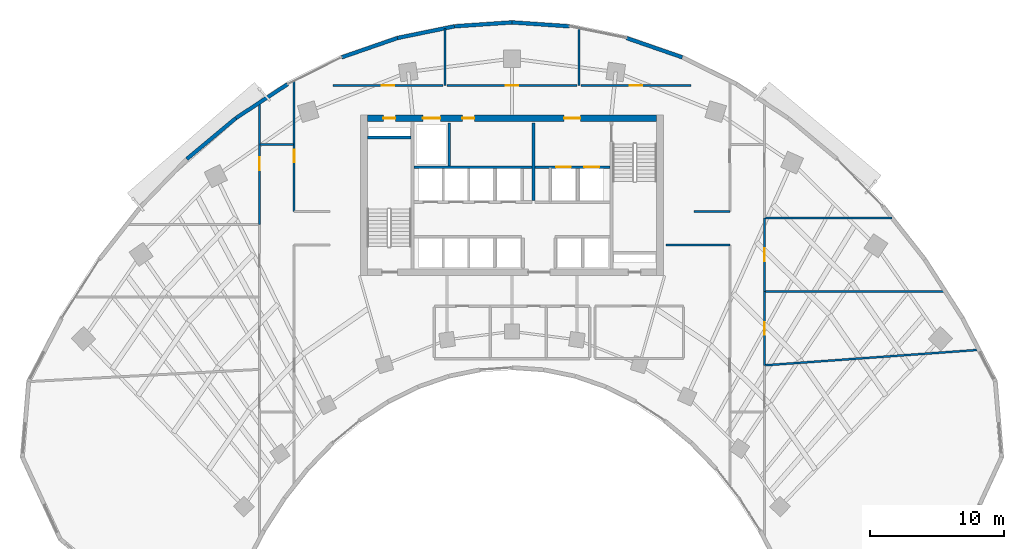
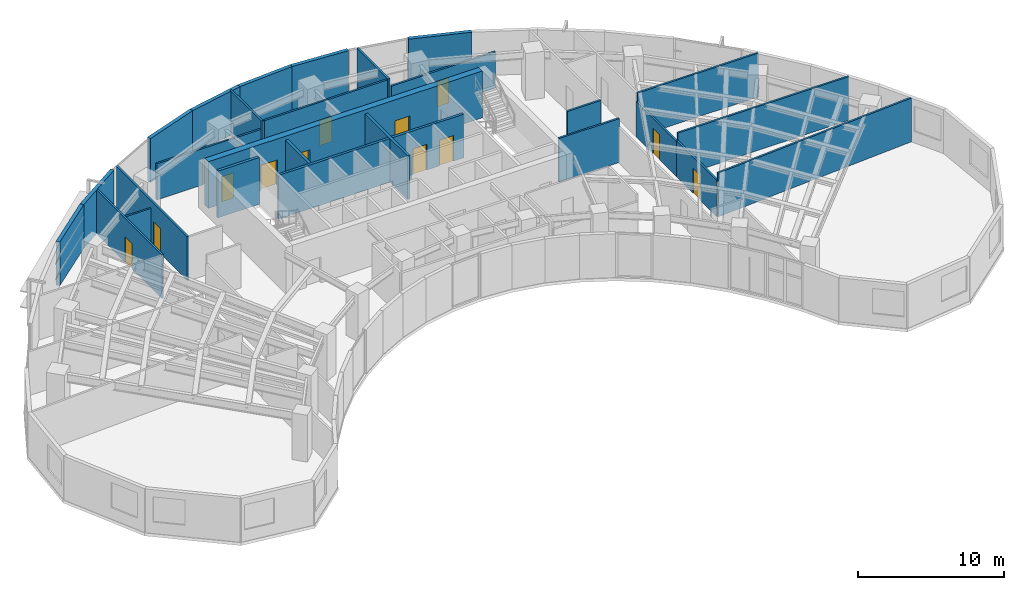
# One storey, part 10 of 13: 28 walls, 13 doors, 13 openings.
"""IFC4 building model written with IfcOpenShell, lengths in metres."""

from ifc_helpers import new_model, si_unit, direction, frame, frame_2d, origin, place, context, subcontext, project, spatial, rectangle, extrude, source, transform, mapped, material, layer, layer_set, type_object, type_shapes, element, fill, save


model = new_model("IFC4")

# Units and contexts
model_context = context("Model", 3, precision=1e-05, world=origin(), true_north=direction((0.0, 1.0)))
body_context = subcontext(model_context, "Body", "Model", "MODEL_VIEW")
ifc_project = project(units=[si_unit("LENGTHUNIT", "METRE"), si_unit("AREAUNIT", "SQUARE_METRE"), si_unit("VOLUMEUNIT", "CUBIC_METRE"), si_unit("PLANEANGLEUNIT", "RADIAN"), si_unit("MASSUNIT", "GRAM", prefix="KILO")], contexts=[model_context])

# Site, building, storey
site_placement = place(None, origin())
site = spatial("IfcSite", under=ifc_project, at=site_placement, CompositionType="ELEMENT")
building_placement = place(site_placement, origin())
building = spatial("IfcBuilding", under=site, at=building_placement, Name="Breltana Convention Tower", CompositionType="ELEMENT")
storey_placement = place(building_placement, frame((0.0, 0.0, 96.0)))
storey = spatial("IfcBuildingStorey", under=building, at=storey_placement, Name="L22", CompositionType="ELEMENT", Elevation=96.0)

# Wall, openings, doors
ifc_material_1 = material(Name="Concrete C60/75", Category="concrete")
ifc_layer_1 = layer(ifc_material_1, 0.5, Name="Concrete C60/75")
ifc_layer_set_1 = layer_set([ifc_layer_1], Name="Concrete C60/75")
wall_type_1 = type_object("IfcWallType", Name="SW-CORE-500", PredefinedType="SHEAR", material=ifc_layer_set_1)
shared_shape_1 = source(origin(), body_context, "Body", "SweptSolid", [
    extrude(rectangle(XDim=21.60009765625, YDim=0.5, at=frame_2d((10.800048828125, 0.0))), origin(), (0.0, 0.0, 1.0), 3.89990234375),
])
wall_1_placement = place(storey_placement, frame((37.199951171875, 71.949951171875, 0.0), z_axis=(0.0, 0.0, 1.0), x_axis=(1.0, 0.0, 0.0)))
wall_1 = element("IfcWall", 1, at=wall_1_placement, inside=storey, type_object=wall_type_1, Name="L22 North Core Shear Wall", PredefinedType="SHEAR", context=body_context, shape_type="MappedRepresentation", body=[
    mapped(shared_shape_1, transform((0.0, 0.0, 0.0), scale=1.0)),
])
opening_1_placement = place(wall_1_placement, frame((1.199951171875, 0.0, 0.0)))
opening_1 = element("IfcOpeningElement", 2, at=opening_1_placement, cuts=wall_1, Name="Opening D-18", PredefinedType="OPENING", context=body_context, shape_type="SweptSolid", body=[
    extrude(rectangle(XDim=0.89990234375, YDim=2.10009765625, at=frame_2d((0.449951171875, 1.050048828125))), frame((0.0, 0.260009765625, 0.0), z_axis=(0.0, -1.0, 0.0), x_axis=(1.0, 0.0, 0.0)), (0.0, 0.0, 1.0), 0.52001953125),
])
opening_2_placement = place(wall_1_placement, frame((14.699951171875, 0.0, 0.0)))
opening_2 = element("IfcOpeningElement", 3, at=opening_2_placement, cuts=wall_1, Name="Opening D-09", PredefinedType="OPENING", context=body_context, shape_type="SweptSolid", body=[
    extrude(rectangle(XDim=1.199951171875, YDim=2.14990234375, at=frame_2d((0.60009765625, 1.074951171875))), frame((0.0, 0.260009765625, 0.0), z_axis=(0.0, -1.0, 0.0), x_axis=(1.0, 0.0, 0.0)), (0.0, 0.0, 1.0), 0.52001953125),
])
opening_3_placement = place(wall_1_placement, frame((4.14990234375, 0.0, 0.0)))
opening_3 = element("IfcOpeningElement", 4, at=opening_3_placement, cuts=wall_1, Name="Opening LD-01", PredefinedType="OPENING", context=body_context, shape_type="SweptSolid", body=[
    extrude(rectangle(XDim=1.300048828125, YDim=2.14990234375, at=frame_2d((0.64990234375, 1.074951171875))), frame((0.0, 0.260009765625, 0.0), z_axis=(0.0, -1.0, 0.0), x_axis=(1.0, 0.0, 0.0)), (0.0, 0.0, 1.0), 0.52001953125),
])
opening_4_placement = place(wall_1_placement, frame((7.10009765625, 0.0, 0.0)))
opening_4 = element("IfcOpeningElement", 5, at=opening_4_placement, cuts=wall_1, Name="Opening D-18", PredefinedType="OPENING", context=body_context, shape_type="SweptSolid", body=[
    extrude(rectangle(XDim=0.89990234375, YDim=2.10009765625, at=frame_2d((0.449951171875, 1.050048828125))), frame((0.0, 0.260009765625, 0.0), z_axis=(0.0, -1.0, 0.0), x_axis=(1.0, 0.0, 0.0)), (0.0, 0.0, 1.0), 0.52001953125),
])
ifc_material_2 = material(Name="Steel Riser Fire Door", Category="steel")
door_type_1 = type_object("IfcDoorType", Name="DR-FD60-900", OperationType="NOTDEFINED", PredefinedType="DOOR", material=ifc_material_2)
shared_shape_2 = source(origin(), body_context, "Body", "SweptSolid", [
    extrude(rectangle(XDim=0.89990234375, YDim=2.10009765625, at=frame_2d((0.449951171875, 1.050048828125))), frame((0.0, 0.02490234375, 0.0), z_axis=(0.0, -1.0, 0.0), x_axis=(1.0, 0.0, 0.0)), (0.0, 0.0, 1.0), 0.050048828125),
])
type_shapes(door_type_1, [shared_shape_2])
door_1_placement = place(opening_1_placement, origin())
door_1 = element("IfcDoor", 6, at=door_1_placement, inside=storey, type_object=door_type_1, Name="L22 Core Riser Access Door D-L22-RS1", OperationType="SINGLE_SWING_LEFT", OverallHeight=2.10009765625, OverallWidth=0.89990234375, PredefinedType="DOOR", context=body_context, shape_type="MappedRepresentation", body=[
    mapped(shared_shape_2, transform((0.0, 0.0, 0.0), scale=1.0)),
])
fill(opening_1, door_1)
door_2_placement = place(opening_4_placement, origin())
door_2 = element("IfcDoor", 7, at=door_2_placement, inside=storey, type_object=door_type_1, Name="L22 interior door D-L22-CRA1", OperationType="SINGLE_SWING_RIGHT", OverallHeight=2.10009765625, OverallWidth=0.89990234375, PredefinedType="DOOR", context=body_context, shape_type="MappedRepresentation", body=[
    mapped(shared_shape_2, transform((0.0, 0.0, 0.0), scale=1.0)),
])
fill(opening_4, door_2)
ifc_material_3 = material(Name="Steel Fire Lobby Door", Category="steel")
door_type_2 = type_object("IfcDoorType", Name="DR-FD120-1200", OperationType="NOTDEFINED", PredefinedType="DOOR", material=ifc_material_3)
shared_shape_3 = source(origin(), body_context, "Body", "SweptSolid", [
    extrude(rectangle(XDim=1.199951171875, YDim=2.14990234375, at=frame_2d((0.60009765625, 1.074951171875))), frame((0.0, 0.02490234375, 0.0), z_axis=(0.0, -1.0, 0.0), x_axis=(1.0, 0.0, 0.0)), (0.0, 0.0, 1.0), 0.050048828125),
])
type_shapes(door_type_2, [shared_shape_3])
door_3_placement = place(opening_2_placement, origin())
door_3 = element("IfcDoor", 8, at=door_3_placement, inside=storey, type_object=door_type_2, Name="L22 interior door D-L22-FFL-N", OperationType="SINGLE_SWING_RIGHT", OverallHeight=2.14990234375, OverallWidth=1.199951171875, PredefinedType="DOOR", context=body_context, shape_type="MappedRepresentation", body=[
    mapped(shared_shape_3, transform((0.0, 0.0, 0.0), scale=1.0)),
])
fill(opening_2, door_3)
ifc_material_4 = material(Name="Stainless Steel Brushed", Category="steel")
door_type_3 = type_object("IfcDoorType", Name="DR-LD-SRV-1300", OperationType="DOUBLE_DOOR_SLIDING", PredefinedType="DOOR", material=ifc_material_4)
shared_shape_4 = source(origin(), body_context, "Body", "SweptSolid", [
    extrude(rectangle(XDim=1.300048828125, YDim=2.14990234375, at=frame_2d((0.64990234375, 1.074951171875))), frame((0.0, 0.02490234375, 0.0), z_axis=(0.0, -1.0, 0.0), x_axis=(1.0, 0.0, 0.0)), (0.0, 0.0, 1.0), 0.050048828125),
])
type_shapes(door_type_3, [shared_shape_4])
door_4_placement = place(opening_3_placement, origin())
door_4 = element("IfcDoor", 9, at=door_4_placement, inside=storey, type_object=door_type_3, Name="L22 Lift Landing Door D-L22-LD-SV1", OperationType="DOUBLE_DOOR_SLIDING", OverallHeight=2.14990234375, OverallWidth=1.300048828125, PredefinedType="DOOR", context=body_context, shape_type="MappedRepresentation", body=[
    mapped(shared_shape_4, transform((0.0, 0.0, 0.0), scale=1.0)),
])
fill(opening_3, door_4)

# Walls
ifc_material_5 = material(Name="Concrete C50/60", Category="concrete")
ifc_layer_2 = layer(ifc_material_5, 0.39990234375, Name="Concrete C50/60")
ifc_layer_set_2 = layer_set([ifc_layer_2], Name="Concrete C50/60")
wall_type_2 = type_object("IfcWallType", Name="SW-CORE-400", PredefinedType="SHEAR", material=ifc_layer_set_2)
shared_shape_5 = source(origin(), body_context, "Body", "SweptSolid", [
    extrude(rectangle(XDim=3.27001953125, YDim=0.219970703125, at=frame_2d((1.635009765625, 0.0))), origin(), (0.0, 0.0, 1.0), 3.89990234375),
])
wall_2_placement = place(storey_placement, frame((37.199951171875, 70.510009765625, 0.0), z_axis=(0.0, 0.0, 1.0), x_axis=(1.0, 0.0, 0.0)))
element("IfcWall", 10, at=wall_2_placement, inside=storey, type_object=wall_type_2, Name="L22 ST-1 Stairwell North Bearing Wall", PredefinedType="SHEAR", context=body_context, shape_type="MappedRepresentation", body=[
    mapped(shared_shape_5, transform((0.0, 0.0, 0.0), scale=1.0)),
])
ifc_material_6 = material(Name="Limestone Buff Insulated Wall", Category="masonry")
ifc_layer_3 = layer(ifc_material_6, 0.280029296875, Name="Limestone Buff Insulated Wall")
ifc_layer_set_3 = layer_set([ifc_layer_3], Name="Limestone Buff Insulated Wall")
wall_type_3 = type_object("IfcWallType", Name="WL-EXT-NOSE-280", PredefinedType="SOLIDWALL", material=ifc_layer_set_3)
shared_shape_6 = source(origin(), body_context, "Body", "SweptSolid", [
    extrude(rectangle(XDim=4.76220703125, YDim=0.280029296875, at=frame_2d((2.381103515625, 0.0))), origin(), (0.0, 0.0, 1.0), 3.64990234375),
])
wall_3_placement = place(storey_placement, frame((23.724609375, 68.907470703125, 0.0), z_axis=(0.0, 0.0, 1.0), x_axis=(0.767952279762, 0.640507061638, 0.0)))
element("IfcWall", 11, at=wall_3_placement, inside=storey, type_object=wall_type_3, Name="L22 curved limestone nose wall E22", PredefinedType="SOLIDWALL", context=body_context, shape_type="MappedRepresentation", body=[
    mapped(shared_shape_6, transform((0.0, 0.0, 0.0), scale=1.0)),
])
shared_shape_7 = source(origin(), body_context, "Body", "SweptSolid", [
    extrude(rectangle(XDim=4.625732421875, YDim=0.280029296875, at=frame_2d((2.31298828125, 0.0))), origin(), (0.0, 0.0, 1.0), 3.64990234375),
])
wall_4_placement = place(storey_placement, frame((27.3818359375, 71.957763671875, 0.0), z_axis=(0.0, 0.0, 1.0), x_axis=(0.83595938331, 0.548791316855, 0.0)))
element("IfcWall", 12, at=wall_4_placement, inside=storey, type_object=wall_type_3, Name="L22 curved limestone nose wall E23", PredefinedType="SOLIDWALL", context=body_context, shape_type="MappedRepresentation", body=[
    mapped(shared_shape_7, transform((0.0, 0.0, 0.0), scale=1.0)),
])
shared_shape_8 = source(origin(), body_context, "Body", "SweptSolid", [
    extrude(rectangle(XDim=4.408935546875, YDim=0.280029296875, at=frame_2d((2.20458984375, 0.0))), origin(), (0.0, 0.0, 1.0), 3.64990234375),
])
for number, where, z_axis, x_axis, name in (
    (13, (35.28564453125, 76.497314453125, 0.0), (0.0, 0.0, 1.0), (0.944879374121, 0.327418643881, 0.0), "L22 curved limestone nose wall E24"),
    (14, (56.54833984375, 77.94091796875, 0.0), (0.0, 0.0, 1.0), (0.944879374121, -0.327418643881, 0.0), "L22 curved limestone nose wall E28"),
):
    element("IfcWall", number, at=place(storey_placement, frame(where, z_axis=z_axis, x_axis=x_axis)), inside=storey, type_object=wall_type_3, Name=name, PredefinedType="SOLIDWALL", context=body_context, shape_type="MappedRepresentation", body=[
        mapped(shared_shape_8, transform((0.0, 0.0, 0.0), scale=1.0)),
    ])
shared_shape_9 = source(origin(), body_context, "Body", "SweptSolid", [
    extrude(rectangle(XDim=4.3408203125, YDim=0.280029296875, at=frame_2d((2.17041015625, 0.0))), origin(), (0.0, 0.0, 1.0), 3.64990234375),
])
wall_5_placement = place(storey_placement, frame((39.45166015625, 77.94091796875, 0.0), z_axis=(0.0, 0.0, 1.0), x_axis=(0.979612918634, 0.20089432457, 0.0)))
element("IfcWall", 15, at=wall_5_placement, inside=storey, type_object=wall_type_3, Name="L22 curved limestone nose wall E25", PredefinedType="SOLIDWALL", context=body_context, shape_type="MappedRepresentation", body=[
    mapped(shared_shape_9, transform((0.0, 0.0, 0.0), scale=1.0)),
])
shared_shape_10 = source(origin(), body_context, "Body", "SweptSolid", [
    extrude(rectangle(XDim=4.3056640625, YDim=0.280029296875, at=frame_2d((2.15283203125, 0.0))), origin(), (0.0, 0.0, 1.0), 3.64990234375),
])
for number, where, z_axis, x_axis, name in (
    (16, (43.7041015625, 78.81298828125, 0.0), (0.0, 0.0, 1.0), (0.997705679258, 0.067700646797, 0.0), "L22 curved limestone nose wall E26"),
    (17, (48.0, 79.1044921875, 0.0), (0.0, 0.0, 1.0), (0.997705679258, -0.067700646797, 0.0), "L22 curved limestone nose wall E27"),
):
    element("IfcWall", number, at=place(storey_placement, frame(where, z_axis=z_axis, x_axis=x_axis)), inside=storey, type_object=wall_type_3, Name=name, PredefinedType="SOLIDWALL", context=body_context, shape_type="MappedRepresentation", body=[
        mapped(shared_shape_10, transform((0.0, 0.0, 0.0), scale=1.0)),
    ])

# Wall, openings, doors
ifc_material_7 = material(Name="Autoclaved Aerated Concrete Block", Category="concrete")
ifc_layer_4 = layer(ifc_material_7, 0.199951171875, Name="Autoclaved Aerated Concrete Block")
ifc_layer_set_4 = layer_set([ifc_layer_4], Name="Autoclaved Aerated Concrete Block")
wall_type_4 = type_object("IfcWallType", Name="WL-SHAFT-200", PredefinedType="SOLIDWALL", material=ifc_layer_set_4)
shared_shape_11 = source(origin(), body_context, "Body", "SweptSolid", [
    extrude(rectangle(XDim=5.6201171875, YDim=0.199951171875, at=frame_2d((2.81005859375, 0.0))), origin(), (0.0, 0.0, 1.0), 3.64990234375),
])
wall_6_placement = place(storey_placement, frame((49.699951171875, 68.300048828125, 0.0), z_axis=(0.0, 0.0, 1.0), x_axis=(1.0, 0.0, 0.0)))
wall_6 = element("IfcWall", 18, at=wall_6_placement, inside=storey, type_object=wall_type_4, Name="L22 interior partition W-L22-FFL-S", PredefinedType="SOLIDWALL", context=body_context, shape_type="MappedRepresentation", body=[
    mapped(shared_shape_11, transform((0.0, 0.0, 0.0), scale=1.0)),
])
opening_5_placement = place(wall_6_placement, frame((1.60009765625, 0.0, 0.0)))
opening_5 = element("IfcOpeningElement", 19, at=opening_5_placement, cuts=wall_6, Name="Opening LD-03", PredefinedType="OPENING", context=body_context, shape_type="SweptSolid", body=[
    extrude(rectangle(XDim=1.10009765625, YDim=2.14990234375, at=frame_2d((0.550048828125, 1.074951171875))), frame((0.0, 0.10986328125, 0.0), z_axis=(0.0, -1.0, 0.0), x_axis=(1.0, 0.0, 0.0)), (0.0, 0.0, 1.0), 0.219970703125),
])
opening_6_placement = place(wall_6_placement, frame((3.699951171875, 0.0, 0.0)))
opening_6 = element("IfcOpeningElement", 20, at=opening_6_placement, cuts=wall_6, Name="Opening LD-03", PredefinedType="OPENING", context=body_context, shape_type="SweptSolid", body=[
    extrude(rectangle(XDim=1.10009765625, YDim=2.14990234375, at=frame_2d((0.550048828125, 1.074951171875))), frame((0.0, 0.10986328125, 0.0), z_axis=(0.0, -1.0, 0.0), x_axis=(1.0, 0.0, 0.0)), (0.0, 0.0, 1.0), 0.219970703125),
])
door_type_4 = type_object("IfcDoorType", Name="DR-LD-FF-1100", OperationType="DOUBLE_DOOR_SLIDING", PredefinedType="DOOR", material=ifc_material_4)
shared_shape_12 = source(origin(), body_context, "Body", "SweptSolid", [
    extrude(rectangle(XDim=1.10009765625, YDim=2.14990234375, at=frame_2d((0.550048828125, 1.074951171875))), frame((0.0, 0.02490234375, 0.0), z_axis=(0.0, -1.0, 0.0), x_axis=(1.0, 0.0, 0.0)), (0.0, 0.0, 1.0), 0.050048828125),
])
type_shapes(door_type_4, [shared_shape_12])
door_5_placement = place(opening_5_placement, origin())
door_5 = element("IfcDoor", 21, at=door_5_placement, inside=storey, type_object=door_type_4, Name="L22 Lift Landing Door D-L22-LD-FL1", OperationType="DOUBLE_DOOR_SLIDING", OverallHeight=2.14990234375, OverallWidth=1.10009765625, PredefinedType="DOOR", context=body_context, shape_type="MappedRepresentation", body=[
    mapped(shared_shape_12, transform((0.0, 0.0, 0.0), scale=1.0)),
])
fill(opening_5, door_5)
door_6_placement = place(opening_6_placement, origin())
door_6 = element("IfcDoor", 22, at=door_6_placement, inside=storey, type_object=door_type_4, Name="L22 Lift Landing Door D-L22-LD-FL2", OperationType="DOUBLE_DOOR_SLIDING", OverallHeight=2.14990234375, OverallWidth=1.10009765625, PredefinedType="DOOR", context=body_context, shape_type="MappedRepresentation", body=[
    mapped(shared_shape_12, transform((0.0, 0.0, 0.0), scale=1.0)),
])
fill(opening_6, door_6)

# Walls
shared_shape_13 = source(origin(), body_context, "Body", "SweptSolid", [
    extrude(rectangle(XDim=5.800048828125, YDim=0.199951171875, at=frame_2d((2.89990234375, 0.0))), origin(), (0.0, 0.0, 1.0), 3.64990234375),
])
wall_7_placement = place(storey_placement, frame((49.60009765625, 65.800048828125, 0.0), z_axis=(0.0, 0.0, 1.0), x_axis=(0.0, 1.0, 0.0)))
element("IfcWall", 23, at=wall_7_placement, inside=storey, type_object=wall_type_4, Name="L22 interior partition W-L22-FFL-W", PredefinedType="SOLIDWALL", context=body_context, shape_type="MappedRepresentation", body=[
    mapped(shared_shape_13, transform((0.0, 0.0, 0.0), scale=1.0)),
])
shared_shape_14 = source(origin(), body_context, "Body", "SweptSolid", [
    extrude(rectangle(XDim=3.2001953125, YDim=0.199951171875, at=frame_2d((1.60009765625, 0.0))), origin(), (0.0, 0.0, 1.0), 3.64990234375),
])
wall_8_placement = place(storey_placement, frame((43.320068359375, 68.39990234375, 0.0), z_axis=(0.0, 0.0, 1.0), x_axis=(0.0, 1.0, 0.0)))
element("IfcWall", 24, at=wall_8_placement, inside=storey, type_object=wall_type_4, Name="L22 interior partition W-L22-SV-E", PredefinedType="SOLIDWALL", context=body_context, shape_type="MappedRepresentation", body=[
    mapped(shared_shape_14, transform((0.0, 0.0, 0.0), scale=1.0)),
])
shared_shape_15 = source(origin(), body_context, "Body", "SweptSolid", [
    extrude(rectangle(XDim=8.800048828125, YDim=0.199951171875, at=frame_2d((4.39990234375, 0.0))), origin(), (0.0, 0.0, 1.0), 3.64990234375),
])
wall_9_placement = place(storey_placement, frame((40.699951171875, 68.300048828125, 0.0), z_axis=(0.0, 0.0, 1.0), x_axis=(1.0, 0.0, 0.0)))
element("IfcWall", 25, at=wall_9_placement, inside=storey, type_object=wall_type_4, Name="L22 interior partition W-L22-SV-S", PredefinedType="SOLIDWALL", context=body_context, shape_type="MappedRepresentation", body=[
    mapped(shared_shape_15, transform((0.0, 0.0, 0.0), scale=1.0)),
])
ifc_material_8 = material(Name="Gypsum Acoustic Drywall Partition")
ifc_layer_5 = layer(ifc_material_8, 0.14990234375, Name="Gypsum Acoustic Drywall Partition")
ifc_layer_set_5 = layer_set([ifc_layer_5], Name="Gypsum Acoustic Drywall Partition")
wall_type_5 = type_object("IfcWallType", Name="WL-PART-150", PredefinedType="PARTITIONING", material=ifc_layer_set_5)
shared_shape_16 = source(origin(), body_context, "Body", "SweptSolid", [
    extrude(rectangle(XDim=2.5, YDim=0.14990234375, at=frame_2d((1.25, 0.0))), origin(), (0.0, 0.0, 1.0), 3.02197265625),
])
wall_10_placement = place(storey_placement, frame((29.199951171875, 70.0, 0.0), z_axis=(0.0, 0.0, 1.0), x_axis=(1.0, 0.0, 0.0)))
element("IfcWall", 26, at=wall_10_placement, inside=storey, type_object=wall_type_5, Name="L22 interior partition W-L22-CORNW-N", PredefinedType="PARTITIONING", context=body_context, shape_type="MappedRepresentation", body=[
    mapped(shared_shape_16, transform((0.0, 0.0, 0.0), scale=1.0)),
])

# Wall, opening, door
shared_shape_17 = source(origin(), body_context, "Body", "SweptSolid", [
    extrude(rectangle(XDim=9.113037109375, YDim=0.14990234375, at=frame_2d((4.556640625, 0.0))), origin(), (0.0, 0.0, 1.0), 3.64990234375),
])
wall_11_placement = place(storey_placement, frame((29.159912109375, 64.0, 0.0), z_axis=(0.0, 0.0, 1.0), x_axis=(0.0, 1.0, 0.0)))
wall_11 = element("IfcWall", 27, at=wall_11_placement, inside=storey, type_object=wall_type_5, Name="L22 interior partition W-L22-ZW4-E", PredefinedType="PARTITIONING", context=body_context, shape_type="MappedRepresentation", body=[
    mapped(shared_shape_17, transform((0.0, 0.0, 0.0), scale=1.0)),
])
opening_7_placement = place(wall_11_placement, frame((4.08154296875, 0.0, 0.0)))
opening_7 = element("IfcOpeningElement", 28, at=opening_7_placement, cuts=wall_11, Name="Opening D-17", PredefinedType="OPENING", context=body_context, shape_type="SweptSolid", body=[
    extrude(rectangle(XDim=0.949951171875, YDim=2.10009765625, at=frame_2d((0.47509765625, 1.050048828125))), frame((0.0, 0.0849609375, 0.0), z_axis=(0.0, -1.0, 0.0), x_axis=(1.0, 0.0, 0.0)), (0.0, 0.0, 1.0), 0.169921875),
])
ifc_material_9 = material(Name="Timber Oak Veneer Door", Category="wood")
door_type_5 = type_object("IfcDoorType", Name="DR-INT-950", OperationType="NOTDEFINED", PredefinedType="DOOR", material=ifc_material_9)
shared_shape_18 = source(origin(), body_context, "Body", "SweptSolid", [
    extrude(rectangle(XDim=0.949951171875, YDim=2.10009765625, at=frame_2d((0.47509765625, 1.050048828125))), frame((0.0, 0.02490234375, 0.0), z_axis=(0.0, -1.0, 0.0), x_axis=(1.0, 0.0, 0.0)), (0.0, 0.0, 1.0), 0.050048828125),
])
type_shapes(door_type_5, [shared_shape_18])
door_7_placement = place(opening_7_placement, origin())
door_7 = element("IfcDoor", 29, at=door_7_placement, inside=storey, type_object=door_type_5, Name="L22 interior door D-L22-ZW4", OperationType="SINGLE_SWING_RIGHT", OverallHeight=2.10009765625, OverallWidth=0.949951171875, PredefinedType="DOOR", context=body_context, shape_type="MappedRepresentation", body=[
    mapped(shared_shape_18, transform((0.0, 0.0, 0.0), scale=1.0)),
])
fill(opening_7, door_7)

# Wall
shared_shape_19 = source(origin(), body_context, "Body", "SweptSolid", [
    extrude(rectangle(XDim=15.924072265625, YDim=0.14990234375, at=frame_2d((7.9619140625, 0.0))), origin(), (0.0, 0.0, 1.0), 3.64990234375),
])
wall_12_placement = place(storey_placement, frame((66.840087890625, 53.5, 0.0), z_axis=(0.0, 0.0, 1.0), x_axis=(0.997397082693, 0.072104503572, 0.0)))
element("IfcWall", 30, at=wall_12_placement, inside=storey, type_object=wall_type_5, Name="L22 interior partition W-L22-ZE1-N", PredefinedType="PARTITIONING", context=body_context, shape_type="MappedRepresentation", body=[
    mapped(shared_shape_19, transform((0.0, 0.0, 0.0), scale=1.0)),
])

# Wall, opening, door
shared_shape_20 = source(origin(), body_context, "Body", "SweptSolid", [
    extrude(rectangle(XDim=5.5, YDim=0.14990234375, at=frame_2d((2.75, 0.0))), origin(), (0.0, 0.0, 1.0), 3.02197265625),
])
wall_13_placement = place(storey_placement, frame((66.840087890625, 53.5, 0.0), z_axis=(0.0, 0.0, 1.0), x_axis=(0.0, 1.0, 0.0)))
wall_13 = element("IfcWall", 31, at=wall_13_placement, inside=storey, type_object=wall_type_5, Name="L22 interior partition W-L22-ZE2-W", PredefinedType="PARTITIONING", context=body_context, shape_type="MappedRepresentation", body=[
    mapped(shared_shape_20, transform((0.0, 0.0, 0.0), scale=1.0)),
])
opening_8_placement = place(wall_13_placement, frame((2.27490234375, 0.0, 0.0)))
opening_8 = element("IfcOpeningElement", 32, at=opening_8_placement, cuts=wall_13, Name="Opening D-17", PredefinedType="OPENING", context=body_context, shape_type="SweptSolid", body=[
    extrude(rectangle(XDim=0.949951171875, YDim=2.10009765625, at=frame_2d((0.47509765625, 1.050048828125))), frame((0.0, 0.0849609375, 0.0), z_axis=(0.0, -1.0, 0.0), x_axis=(1.0, 0.0, 0.0)), (0.0, 0.0, 1.0), 0.169921875),
])
door_8_placement = place(opening_8_placement, origin())
door_8 = element("IfcDoor", 33, at=door_8_placement, inside=storey, type_object=door_type_5, Name="L22 interior door D-L22-ZE2", OperationType="SINGLE_SWING_RIGHT", OverallHeight=2.10009765625, OverallWidth=0.949951171875, PredefinedType="DOOR", context=body_context, shape_type="MappedRepresentation", body=[
    mapped(shared_shape_18, transform((0.0, 0.0, 0.0), scale=1.0)),
])
fill(opening_8, door_8)

# Wall
shared_shape_21 = source(origin(), body_context, "Body", "SweptSolid", [
    extrude(rectangle(XDim=13.500244140625, YDim=0.14990234375, at=frame_2d((6.75, 0.0))), origin(), (0.0, 0.0, 1.0), 3.64990234375),
])
wall_14_placement = place(storey_placement, frame((66.840087890625, 59.0, 0.0), z_axis=(0.0, 0.0, 1.0), x_axis=(1.0, 0.0, 0.0)))
element("IfcWall", 34, at=wall_14_placement, inside=storey, type_object=wall_type_5, Name="L22 interior partition W-L22-ZE2-N", PredefinedType="PARTITIONING", context=body_context, shape_type="MappedRepresentation", body=[
    mapped(shared_shape_21, transform((0.0, 0.0, 0.0), scale=1.0)),
])

# Wall, opening, door
shared_shape_22 = source(origin(), body_context, "Body", "SweptSolid", [
    extrude(rectangle(XDim=5.5, YDim=0.14990234375, at=frame_2d((2.75, 0.0))), origin(), (0.0, 0.0, 1.0), 2.94189453125),
])
wall_15_placement = place(storey_placement, frame((66.840087890625, 59.0, 0.0), z_axis=(0.0, 0.0, 1.0), x_axis=(0.0, 1.0, 0.0)))
wall_15 = element("IfcWall", 35, at=wall_15_placement, inside=storey, type_object=wall_type_5, Name="L22 interior partition W-L22-ZE3-W", PredefinedType="PARTITIONING", context=body_context, shape_type="MappedRepresentation", body=[
    mapped(shared_shape_22, transform((0.0, 0.0, 0.0), scale=1.0)),
])
opening_9_placement = place(wall_15_placement, frame((2.27490234375, 0.0, 0.0)))
opening_9 = element("IfcOpeningElement", 36, at=opening_9_placement, cuts=wall_15, Name="Opening D-17", PredefinedType="OPENING", context=body_context, shape_type="SweptSolid", body=[
    extrude(rectangle(XDim=0.949951171875, YDim=2.10009765625, at=frame_2d((0.47509765625, 1.050048828125))), frame((0.0, 0.0849609375, 0.0), z_axis=(0.0, -1.0, 0.0), x_axis=(1.0, 0.0, 0.0)), (0.0, 0.0, 1.0), 0.169921875),
])
door_9_placement = place(opening_9_placement, origin())
door_9 = element("IfcDoor", 37, at=door_9_placement, inside=storey, type_object=door_type_5, Name="L22 interior door D-L22-ZE3", OperationType="SINGLE_SWING_LEFT", OverallHeight=2.10009765625, OverallWidth=0.949951171875, PredefinedType="DOOR", context=body_context, shape_type="MappedRepresentation", body=[
    mapped(shared_shape_18, transform((0.0, 0.0, 0.0), scale=1.0)),
])
fill(opening_9, door_9)

# Wall
shared_shape_23 = source(origin(), body_context, "Body", "SweptSolid", [
    extrude(rectangle(XDim=9.521240234375, YDim=0.14990234375, at=frame_2d((4.7607421875, 0.0))), origin(), (0.0, 0.0, 1.0), 3.64990234375),
])
wall_16_placement = place(storey_placement, frame((66.840087890625, 64.5, 0.0), z_axis=(0.0, 0.0, 1.0), x_axis=(1.0, 0.0, 0.0)))
element("IfcWall", 38, at=wall_16_placement, inside=storey, type_object=wall_type_5, Name="L22 interior partition W-L22-ZE3-N", PredefinedType="PARTITIONING", context=body_context, shape_type="MappedRepresentation", body=[
    mapped(shared_shape_23, transform((0.0, 0.0, 0.0), scale=1.0)),
])

# Wall, opening, door
shared_shape_24 = source(origin(), body_context, "Body", "SweptSolid", [
    extrude(rectangle(XDim=8.2001953125, YDim=0.14990234375, at=frame_2d((4.10009765625, 0.0))), origin(), (0.0, 0.0, 1.0), 3.02197265625),
])
wall_17_placement = place(storey_placement, frame((34.64990234375, 74.39990234375, 0.0), z_axis=(0.0, 0.0, 1.0), x_axis=(1.0, 0.0, 0.0)))
wall_17 = element("IfcWall", 39, at=wall_17_placement, inside=storey, type_object=wall_type_5, Name="L22 interior partition W-L22-ZN1-S", PredefinedType="PARTITIONING", context=body_context, shape_type="MappedRepresentation", body=[
    mapped(shared_shape_24, transform((0.0, 0.0, 0.0), scale=1.0)),
])
opening_10_placement = place(wall_17_placement, frame((3.625, 0.0, 0.0)))
opening_10 = element("IfcOpeningElement", 40, at=opening_10_placement, cuts=wall_17, Name="Opening D-17", PredefinedType="OPENING", context=body_context, shape_type="SweptSolid", body=[
    extrude(rectangle(XDim=0.949951171875, YDim=2.10009765625, at=frame_2d((0.47509765625, 1.050048828125))), frame((0.0, 0.0849609375, 0.0), z_axis=(0.0, -1.0, 0.0), x_axis=(1.0, 0.0, 0.0)), (0.0, 0.0, 1.0), 0.169921875),
])
door_10_placement = place(opening_10_placement, origin())
door_10 = element("IfcDoor", 41, at=door_10_placement, inside=storey, type_object=door_type_5, Name="L22 interior door D-L22-ZN1", OperationType="SINGLE_SWING_LEFT", OverallHeight=2.10009765625, OverallWidth=0.949951171875, PredefinedType="DOOR", context=body_context, shape_type="MappedRepresentation", body=[
    mapped(shared_shape_18, transform((0.0, 0.0, 0.0), scale=1.0)),
])
fill(opening_10, door_10)

wall_18_placement = place(storey_placement, frame((53.14990234375, 74.39990234375, 0.0), z_axis=(0.0, 0.0, 1.0), x_axis=(1.0, 0.0, 0.0)))
wall_18 = element("IfcWall", 42, at=wall_18_placement, inside=storey, type_object=wall_type_5, Name="L22 interior partition W-L22-ZN3-S", PredefinedType="PARTITIONING", context=body_context, shape_type="MappedRepresentation", body=[
    mapped(shared_shape_24, transform((0.0, 0.0, 0.0), scale=1.0)),
])
opening_11_placement = place(wall_18_placement, frame((3.625, 0.0, 0.0)))
opening_11 = element("IfcOpeningElement", 43, at=opening_11_placement, cuts=wall_18, Name="Opening D-17", PredefinedType="OPENING", context=body_context, shape_type="SweptSolid", body=[
    extrude(rectangle(XDim=0.949951171875, YDim=2.10009765625, at=frame_2d((0.47509765625, 1.050048828125))), frame((0.0, 0.0849609375, 0.0), z_axis=(0.0, -1.0, 0.0), x_axis=(1.0, 0.0, 0.0)), (0.0, 0.0, 1.0), 0.169921875),
])
door_11_placement = place(opening_11_placement, origin())
door_11 = element("IfcDoor", 44, at=door_11_placement, inside=storey, type_object=door_type_5, Name="L22 interior door D-L22-ZN3", OperationType="SINGLE_SWING_LEFT", OverallHeight=2.10009765625, OverallWidth=0.949951171875, PredefinedType="DOOR", context=body_context, shape_type="MappedRepresentation", body=[
    mapped(shared_shape_18, transform((0.0, 0.0, 0.0), scale=1.0)),
])
fill(opening_11, door_11)

# Walls
shared_shape_25 = source(origin(), body_context, "Body", "SweptSolid", [
    extrude(rectangle(XDim=4.258544921875, YDim=0.14990234375, at=frame_2d((2.12939453125, 0.0))), origin(), (0.0, 0.0, 1.0), 3.64990234375),
])
for number, where, z_axis, x_axis, name in (
    (45, (43.0, 74.39990234375, 0.0), (0.0, 0.0, 1.0), (0.0, 1.0, 0.0), "L22 interior partition W-L22-ZN1-E"),
    (46, (53.0, 74.39990234375, 0.0), (0.0, 0.0, 1.0), (0.0, 1.0, 0.0), "L22 interior partition W-L22-ZN2-E"),
):
    element("IfcWall", number, at=place(storey_placement, frame(where, z_axis=z_axis, x_axis=x_axis)), inside=storey, type_object=wall_type_5, Name=name, PredefinedType="PARTITIONING", context=body_context, shape_type="MappedRepresentation", body=[
        mapped(shared_shape_25, transform((0.0, 0.0, 0.0), scale=1.0)),
    ])

# Wall, opening, door
shared_shape_26 = source(origin(), body_context, "Body", "SweptSolid", [
    extrude(rectangle(XDim=9.7001953125, YDim=0.14990234375, at=frame_2d((4.85009765625, 0.0))), origin(), (0.0, 0.0, 1.0), 3.64990234375),
])
wall_19_placement = place(storey_placement, frame((43.14990234375, 74.39990234375, 0.0), z_axis=(0.0, 0.0, 1.0), x_axis=(1.0, 0.0, 0.0)))
wall_19 = element("IfcWall", 47, at=wall_19_placement, inside=storey, type_object=wall_type_5, Name="L22 interior partition W-L22-ZN2-S", PredefinedType="PARTITIONING", context=body_context, shape_type="MappedRepresentation", body=[
    mapped(shared_shape_26, transform((0.0, 0.0, 0.0), scale=1.0)),
])
opening_12_placement = place(wall_19_placement, frame((4.375, 0.0, 0.0)))
opening_12 = element("IfcOpeningElement", 48, at=opening_12_placement, cuts=wall_19, Name="Opening D-17", PredefinedType="OPENING", context=body_context, shape_type="SweptSolid", body=[
    extrude(rectangle(XDim=0.949951171875, YDim=2.10009765625, at=frame_2d((0.47509765625, 1.050048828125))), frame((0.0, 0.0849609375, 0.0), z_axis=(0.0, -1.0, 0.0), x_axis=(1.0, 0.0, 0.0)), (0.0, 0.0, 1.0), 0.169921875),
])
door_12_placement = place(opening_12_placement, origin())
door_12 = element("IfcDoor", 49, at=door_12_placement, inside=storey, type_object=door_type_5, Name="L22 interior door D-L22-ZN2", OperationType="SINGLE_SWING_RIGHT", OverallHeight=2.10009765625, OverallWidth=0.949951171875, PredefinedType="DOOR", context=body_context, shape_type="MappedRepresentation", body=[
    mapped(shared_shape_18, transform((0.0, 0.0, 0.0), scale=1.0)),
])
fill(opening_12, door_12)

# Wall
shared_shape_27 = source(origin(), body_context, "Body", "SweptSolid", [
    extrude(rectangle(XDim=2.659912109375, YDim=0.14990234375, at=frame_2d((1.330078125, 0.0))), origin(), (0.0, 0.0, 1.0), 3.64990234375),
])
wall_20_placement = place(storey_placement, frame((61.60009765625, 65.0, 0.0), z_axis=(0.0, 0.0, 1.0), x_axis=(1.0, 0.0, 0.0)))
element("IfcWall", 50, at=wall_20_placement, inside=storey, type_object=wall_type_5, Name="L22 interior partition W-L22-ZME2-TS", PredefinedType="PARTITIONING", context=body_context, shape_type="MappedRepresentation", body=[
    mapped(shared_shape_27, transform((0.0, 0.0, 0.0), scale=1.0)),
])

# Wall, opening, door
shared_shape_28 = source(origin(), body_context, "Body", "SweptSolid", [
    extrude(rectangle(XDim=9.728515625, YDim=0.14990234375, at=frame_2d((4.8642578125, 0.0))), origin(), (0.0, 0.0, 1.0), 3.64990234375),
])
wall_21_placement = place(storey_placement, frame((31.739990234375, 65.0, 0.0), z_axis=(0.0, 0.0, 1.0), x_axis=(0.0, 1.0, 0.0)))
wall_21 = element("IfcWall", 51, at=wall_21_placement, inside=storey, type_object=wall_type_5, Name="L22 interior partition W-L22-ZMW2-D", PredefinedType="PARTITIONING", context=body_context, shape_type="MappedRepresentation", body=[
    mapped(shared_shape_28, transform((0.0, 0.0, 0.0), scale=1.0)),
])
opening_13_placement = place(wall_21_placement, frame((3.64990234375, 0.0, 0.0)))
opening_13 = element("IfcOpeningElement", 52, at=opening_13_placement, cuts=wall_21, Name="Opening D-17", PredefinedType="OPENING", context=body_context, shape_type="SweptSolid", body=[
    extrude(rectangle(XDim=0.949951171875, YDim=2.10009765625, at=frame_2d((0.47509765625, 1.050048828125))), frame((0.0, 0.0849609375, 0.0), z_axis=(0.0, -1.0, 0.0), x_axis=(1.0, 0.0, 0.0)), (0.0, 0.0, 1.0), 0.169921875),
])
door_13_placement = place(opening_13_placement, origin())
door_13 = element("IfcDoor", 53, at=door_13_placement, inside=storey, type_object=door_type_5, Name="L22 interior door D-L22-ZMW2", OperationType="SINGLE_SWING_LEFT", OverallHeight=2.10009765625, OverallWidth=0.949951171875, PredefinedType="DOOR", context=body_context, shape_type="MappedRepresentation", body=[
    mapped(shared_shape_18, transform((0.0, 0.0, 0.0), scale=1.0)),
])
fill(opening_13, door_13)

# Wall
shared_shape_29 = source(origin(), body_context, "Body", "SweptSolid", [
    extrude(rectangle(XDim=4.760009765625, YDim=0.14990234375, at=frame_2d((2.3798828125, 0.0))), origin(), (0.0, 0.0, 1.0), 3.64990234375),
])
wall_22_placement = place(storey_placement, frame((59.5, 62.5, 0.0), z_axis=(0.0, 0.0, 1.0), x_axis=(1.0, 0.0, 0.0)))
element("IfcWall", 54, at=wall_22_placement, inside=storey, type_object=wall_type_5, Name="L22 interior partition W-L22-ZME1-TN", PredefinedType="PARTITIONING", context=body_context, shape_type="MappedRepresentation", body=[
    mapped(shared_shape_29, transform((0.0, 0.0, 0.0), scale=1.0)),
])

save(model, "model.ifc")
